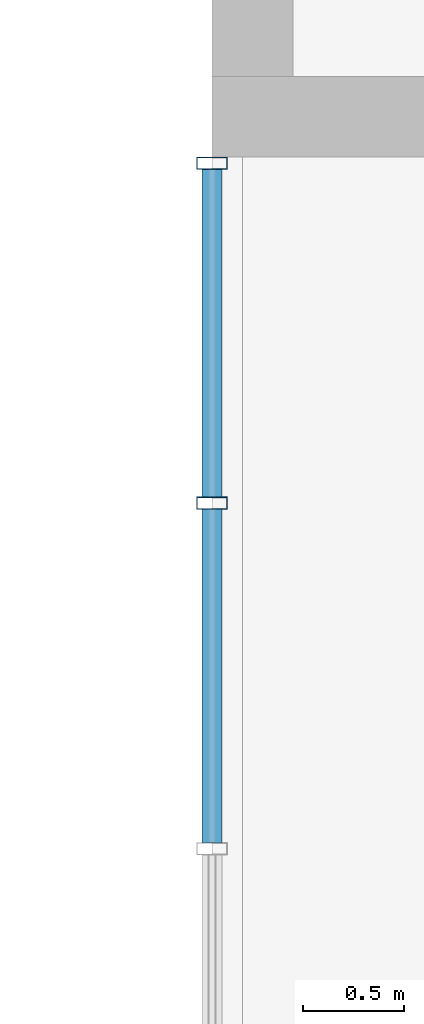
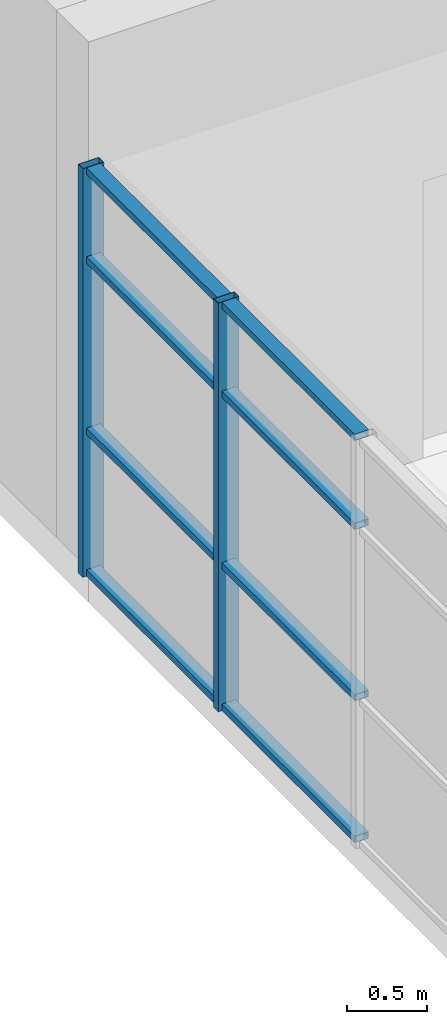
# One storey, part 51 of 101: 10 members, 1 element without a shape of its own.
"""IFC4 building model written with IfcOpenShell, lengths in metres."""

from ifc_helpers import new_model, si_unit, direction, frame, origin, origin_2d, place, context, subcontext, project, spatial, hollow_rectangle, extrude, material, material_profile, profile_set, type_object, element, aggregate, save


model = new_model("IFC4")

# Units and contexts
model_context = context("Model", 3, precision=1e-05, world=origin(), true_north=direction((0.0, 1.0)))
body_context = subcontext(model_context, "Body", "Model", "MODEL_VIEW")
ifc_project = project(units=[si_unit("LENGTHUNIT", "METRE"), si_unit("AREAUNIT", "SQUARE_METRE"), si_unit("VOLUMEUNIT", "CUBIC_METRE"), si_unit("PLANEANGLEUNIT", "RADIAN"), si_unit("MASSUNIT", "GRAM", prefix="KILO")], contexts=[model_context])

# Site, building, storey
site_placement = place(None, origin())
site = spatial("IfcSite", under=ifc_project, at=site_placement, CompositionType="ELEMENT")
building_placement = place(site_placement, origin())
building = spatial("IfcBuilding", under=site, at=building_placement, Name="Laocheng Heights Fire and Rescue Headquarters", CompositionType="ELEMENT")
storey_placement = place(building_placement, frame((0.0, 0.0, 8.39990234375)))
storey = spatial("IfcBuildingStorey", under=building, at=storey_placement, Name="L02", CompositionType="ELEMENT", Elevation=8.39990234375)

# Curtain wall, members
ifc_material_1 = material(Name="Dark anodised aluminium unitised curtain wall, low-e double glazing", Category="aluminium")
curtain_wall_type = type_object("IfcCurtainWallType", Name="CW 6850 x 3100 CREW COURT GLAZING", PredefinedType="NOTDEFINED", material=ifc_material_1)
curtain_wall_placement = place(storey_placement, origin())
curtain_wall = element("IfcCurtainWall", 1, at=curtain_wall_placement, inside=storey, type_object=curtain_wall_type, Name="X5-W CREW WEST L02", PredefinedType="NOTDEFINED")
ifc_material_2 = material(Name="Dark anodised aluminium 6063-T5 extrusion", Category="aluminium")
ifc_material_profile_1 = material_profile(ifc_material_2, hollow_rectangle(XDim=0.14990234375, YDim=0.06005859375, WallThickness=0.0029296875, at=origin_2d()), Name="AL MULLION 150x60x3 CREW COURT GLAZING")
ifc_profile_set_1 = profile_set([ifc_material_profile_1], Name="Dark anodised aluminium 6063-T5 extrusion")
member_type_1 = type_object("IfcMemberType", Name="AL MULLION 150x60x3 CREW COURT GLAZING", PredefinedType="MULLION", material=ifc_profile_set_1)
member_1_placement = place(storey_placement, frame((90.0, 48.6875, 0.0), z_axis=(0.0, 0.0, 1.0), x_axis=(-1.0, 0.0, 0.0)))
member_1 = element("IfcMember", 2, at=member_1_placement, type_object=member_type_1, Name="X5-W mullion 4", PredefinedType="MULLION", context=body_context, shape_type="SweptSolid", body=[
    extrude(hollow_rectangle(XDim=0.14990234375, YDim=0.06005859375, WallThickness=0.0029296875, at=origin_2d()), origin(), (0.0, 0.0, 1.0), 3.10009765625),
])
member_2_placement = place(storey_placement, frame((90.0, 50.3701171875, 0.0), z_axis=(0.0, 0.0, 1.0), x_axis=(-1.0, 0.0, 0.0)))
member_2 = element("IfcMember", 3, at=member_2_placement, type_object=member_type_1, Name="X5-W mullion 5", PredefinedType="MULLION", context=body_context, shape_type="SweptSolid", body=[
    extrude(hollow_rectangle(XDim=0.14990234375, YDim=0.06005859375, WallThickness=0.0029296875, at=origin_2d()), origin(), (0.0, 0.0, 1.0), 3.10009765625),
])
ifc_material_3 = material(Name="Dark anodised aluminium 6063-T5 extrusion", Category="aluminium")
ifc_material_profile_2 = material_profile(ifc_material_3, hollow_rectangle(XDim=0.10009765625, YDim=0.050048828125, WallThickness=0.0029296875, at=origin_2d()), Name="AL TRANSOM 100x50x3 CREW COURT GLAZING")
ifc_profile_set_2 = profile_set([ifc_material_profile_2], Name="Dark anodised aluminium 6063-T5 extrusion")
member_type_2 = type_object("IfcMemberType", Name="AL TRANSOM 100x50x3 CREW COURT GLAZING", PredefinedType="USERDEFINED", material=ifc_profile_set_2)
member_3_placement = place(storey_placement, frame((90.0, 47.0048828125, 0.025146484375), z_axis=(0.0, 1.0, 0.0), x_axis=(-1.0, 0.0, 0.0)))
member_3 = element("IfcMember", 4, at=member_3_placement, type_object=member_type_2, Name="X5-W transom 3.1", ObjectType="TRANSOM", PredefinedType="USERDEFINED", context=body_context, shape_type="SweptSolid", body=[
    extrude(hollow_rectangle(XDim=0.10009765625, YDim=0.050048828125, WallThickness=0.0029296875, at=origin_2d()), origin(), (0.0, 0.0, 1.0), 1.652587890625),
])
member_4_placement = place(storey_placement, frame((90.0, 47.0048828125, 1.10009765625), z_axis=(0.0, 1.0, 0.0), x_axis=(-1.0, 0.0, 0.0)))
member_4 = element("IfcMember", 5, at=member_4_placement, type_object=member_type_2, Name="X5-W transom 3.2", ObjectType="TRANSOM", PredefinedType="USERDEFINED", context=body_context, shape_type="SweptSolid", body=[
    extrude(hollow_rectangle(XDim=0.10009765625, YDim=0.050048828125, WallThickness=0.0029296875, at=origin_2d()), origin(), (0.0, 0.0, 1.0), 1.652587890625),
])
member_5_placement = place(storey_placement, frame((90.0, 47.0048828125, 2.400146484375), z_axis=(0.0, 1.0, 0.0), x_axis=(-1.0, 0.0, 0.0)))
member_5 = element("IfcMember", 6, at=member_5_placement, type_object=member_type_2, Name="X5-W transom 3.3", ObjectType="TRANSOM", PredefinedType="USERDEFINED", context=body_context, shape_type="SweptSolid", body=[
    extrude(hollow_rectangle(XDim=0.10009765625, YDim=0.050048828125, WallThickness=0.0029296875, at=origin_2d()), origin(), (0.0, 0.0, 1.0), 1.652587890625),
])
member_6_placement = place(storey_placement, frame((90.0, 47.0048828125, 3.0751953125), z_axis=(0.0, 1.0, 0.0), x_axis=(-1.0, 0.0, 0.0)))
member_6 = element("IfcMember", 7, at=member_6_placement, type_object=member_type_2, Name="X5-W transom 3.4", ObjectType="TRANSOM", PredefinedType="USERDEFINED", context=body_context, shape_type="SweptSolid", body=[
    extrude(hollow_rectangle(XDim=0.10009765625, YDim=0.050048828125, WallThickness=0.0029296875, at=origin_2d()), origin(), (0.0, 0.0, 1.0), 1.652587890625),
])
member_7_placement = place(storey_placement, frame((90.0, 48.717529296875, 0.025146484375), z_axis=(0.0, 1.0, 0.0), x_axis=(-1.0, 0.0, 0.0)))
member_7 = element("IfcMember", 8, at=member_7_placement, type_object=member_type_2, Name="X5-W transom 4.1", ObjectType="TRANSOM", PredefinedType="USERDEFINED", context=body_context, shape_type="SweptSolid", body=[
    extrude(hollow_rectangle(XDim=0.10009765625, YDim=0.050048828125, WallThickness=0.0029296875, at=origin_2d()), origin(), (0.0, 0.0, 1.0), 1.62255859375),
])
member_8_placement = place(storey_placement, frame((90.0, 48.717529296875, 1.10009765625), z_axis=(0.0, 1.0, 0.0), x_axis=(-1.0, 0.0, 0.0)))
member_8 = element("IfcMember", 9, at=member_8_placement, type_object=member_type_2, Name="X5-W transom 4.2", ObjectType="TRANSOM", PredefinedType="USERDEFINED", context=body_context, shape_type="SweptSolid", body=[
    extrude(hollow_rectangle(XDim=0.10009765625, YDim=0.050048828125, WallThickness=0.0029296875, at=origin_2d()), origin(), (0.0, 0.0, 1.0), 1.62255859375),
])
member_9_placement = place(storey_placement, frame((90.0, 48.717529296875, 2.400146484375), z_axis=(0.0, 1.0, 0.0), x_axis=(-1.0, 0.0, 0.0)))
member_9 = element("IfcMember", 10, at=member_9_placement, type_object=member_type_2, Name="X5-W transom 4.3", ObjectType="TRANSOM", PredefinedType="USERDEFINED", context=body_context, shape_type="SweptSolid", body=[
    extrude(hollow_rectangle(XDim=0.10009765625, YDim=0.050048828125, WallThickness=0.0029296875, at=origin_2d()), origin(), (0.0, 0.0, 1.0), 1.62255859375),
])
member_10_placement = place(storey_placement, frame((90.0, 48.717529296875, 3.0751953125), z_axis=(0.0, 1.0, 0.0), x_axis=(-1.0, 0.0, 0.0)))
member_10 = element("IfcMember", 11, at=member_10_placement, type_object=member_type_2, Name="X5-W transom 4.4", ObjectType="TRANSOM", PredefinedType="USERDEFINED", context=body_context, shape_type="SweptSolid", body=[
    extrude(hollow_rectangle(XDim=0.10009765625, YDim=0.050048828125, WallThickness=0.0029296875, at=origin_2d()), origin(), (0.0, 0.0, 1.0), 1.62255859375),
])
aggregate(curtain_wall, [member_1, member_2, member_3, member_4, member_5, member_6, member_7, member_8, member_9, member_10])

save(model, "model.ifc")
